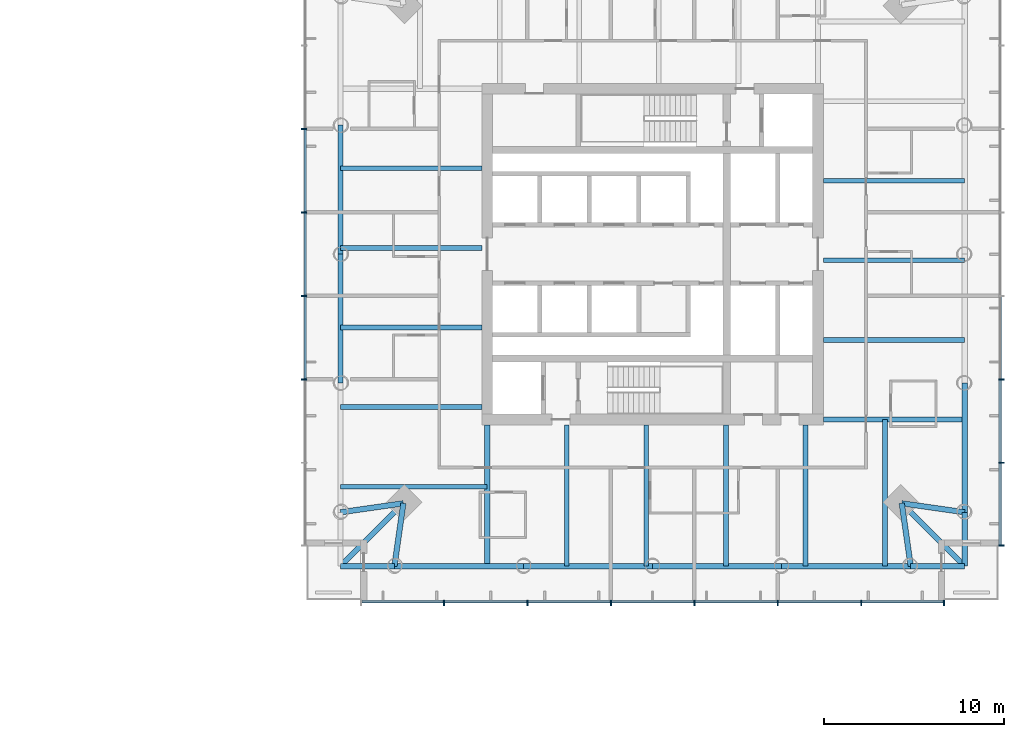
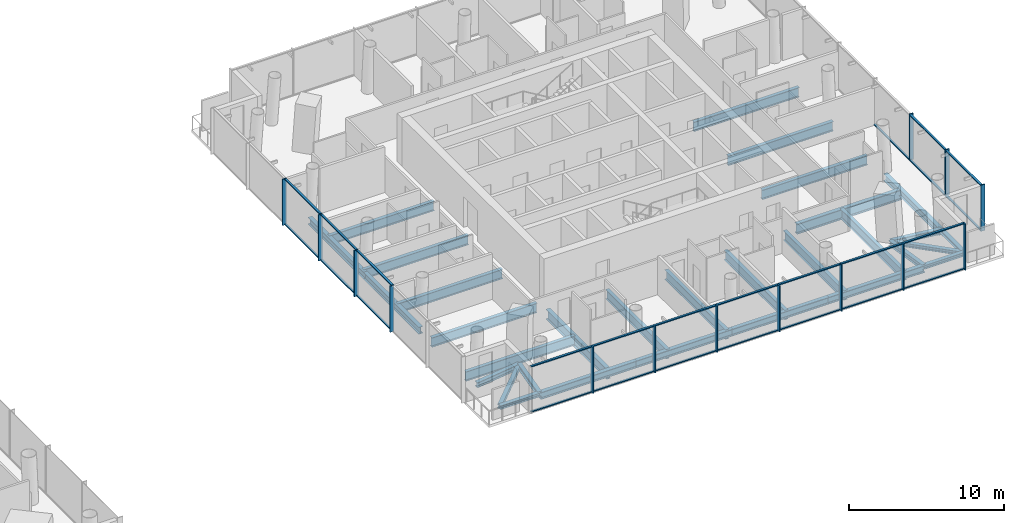
# One storey, part 5 of 21: 39 members, 31 beams, 3 elements without a shape of their own.
"""IFC4 building model written with IfcOpenShell, lengths in metres."""

from ifc_helpers import new_model, si_unit, direction, frame, origin, origin_2d, place, context, subcontext, project, spatial, rectangle, i_section, extrude, material, material_profile, profile_set, type_object, element, aggregate, save


model = new_model("IFC4")

# Units and contexts
model_context = context("Model", 3, precision=1e-05, world=origin(), true_north=direction((0.0, 1.0)))
body_context = subcontext(model_context, "Body", "Model", "MODEL_VIEW")
ifc_project = project(units=[si_unit("LENGTHUNIT", "METRE"), si_unit("AREAUNIT", "SQUARE_METRE"), si_unit("VOLUMEUNIT", "CUBIC_METRE"), si_unit("PLANEANGLEUNIT", "RADIAN"), si_unit("MASSUNIT", "GRAM", prefix="KILO")], contexts=[model_context])

# Site, building, storey
site_placement = place(None, origin())
site = spatial("IfcSite", under=ifc_project, at=site_placement, CompositionType="ELEMENT")
building_placement = place(site_placement, origin())
building = spatial("IfcBuilding", under=site, at=building_placement, Name="Ostroluk Exchange", CompositionType="ELEMENT")
storey_placement = place(building_placement, frame((0.0, 0.0, 59.0)))
storey = spatial("IfcBuildingStorey", under=building, at=storey_placement, Name="L14", CompositionType="ELEMENT", Elevation=59.0)

# Beams
ifc_material_1 = material(Name="Steel S355", Category="steel")
ifc_material_profile_1 = material_profile(ifc_material_1, i_section(OverallWidth=0.300048828125, OverallDepth=0.300048828125, WebThickness=0.010986328125, FlangeThickness=0.01904296875, FilletRadius=0.027099609375, at=origin_2d()), Name="HEB 300")
ifc_profile_set_1 = profile_set([ifc_material_profile_1], Name="Steel S355")
beam_type_1 = type_object("IfcBeamType", Name="Balcony beam HEB 300", PredefinedType="BEAM", material=ifc_profile_set_1)
beam_1_placement = place(storey_placement, frame((102.637939453125, 28.637939453125, -0.35009765625), z_axis=(-1.0, 0.0, 0.0), x_axis=(0.0, -1.0, 0.0)))
element("IfcBeam", 1, at=beam_1_placement, inside=storey, type_object=beam_type_1, Name="T2 west balcony beam b", PredefinedType="BEAM", context=body_context, shape_type="SweptSolid", body=[
    extrude(i_section(OverallWidth=0.300048828125, OverallDepth=0.300048828125, WebThickness=0.010986328125, FlangeThickness=0.01904296875, FilletRadius=0.027099609375, at=origin_2d()), origin(), (0.0, 0.0, 1.0), 3.0),
])
beam_2_placement = place(storey_placement, frame((103.137939453125, 32.137939453125, -0.35009765625), z_axis=(-0.707106781187, -0.707106781187, 0.0), x_axis=(0.707106781187, -0.707106781187, 0.0)))
element("IfcBeam", 2, at=beam_2_placement, inside=storey, type_object=beam_type_1, Name="T2 west balcony beam c", PredefinedType="BEAM", context=body_context, shape_type="SweptSolid", body=[
    extrude(i_section(OverallWidth=0.300048828125, OverallDepth=0.300048828125, WebThickness=0.010986328125, FlangeThickness=0.01904296875, FilletRadius=0.027099609375, at=origin_2d()), origin(), (0.0, 0.0, 1.0), 4.94970703125),
])
for number, where, z_axis, x_axis, name in (
    (3, (131.362060546875, 28.637939453125, -0.35009765625), (1.0, 0.0, 0.0), (0.0, 1.0, 0.0), "T2 south balcony beam a"),
    (4, (134.362060546875, 31.637939453125, -0.35009765625), (0.0, -1.0, 0.0), (1.0, 0.0, 0.0), "T2 south balcony beam b"),
):
    element("IfcBeam", number, at=place(storey_placement, frame(where, z_axis=z_axis, x_axis=x_axis)), inside=storey, type_object=beam_type_1, Name=name, PredefinedType="BEAM", context=body_context, shape_type="SweptSolid", body=[
        extrude(i_section(OverallWidth=0.300048828125, OverallDepth=0.300048828125, WebThickness=0.010986328125, FlangeThickness=0.01904296875, FilletRadius=0.027099609375, at=origin_2d()), origin(), (0.0, 0.0, 1.0), 3.0),
    ])
beam_3_placement = place(storey_placement, frame((130.862060546875, 32.137939453125, -0.35009765625), z_axis=(0.707106781187, -0.707106781187, 0.0), x_axis=(0.707106781187, 0.707106781187, 0.0)))
element("IfcBeam", 5, at=beam_3_placement, inside=storey, type_object=beam_type_1, Name="T2 south balcony beam c", PredefinedType="BEAM", context=body_context, shape_type="SweptSolid", body=[
    extrude(i_section(OverallWidth=0.300048828125, OverallDepth=0.300048828125, WebThickness=0.010986328125, FlangeThickness=0.01904296875, FilletRadius=0.027099609375, at=origin_2d()), origin(), (0.0, 0.0, 1.0), 4.94970703125),
])
ifc_material_2 = material(Name="Steel S355", Category="steel")
ifc_material_profile_2 = material_profile(ifc_material_2, i_section(OverallWidth=0.300048828125, OverallDepth=0.39990234375, WebThickness=0.013427734375, FlangeThickness=0.02392578125, FilletRadius=0.027099609375, at=origin_2d()), Name="HEB 400")
ifc_profile_set_2 = profile_set([ifc_material_profile_2], Name="Steel S355")
beam_type_2 = type_object("IfcBeamType", Name="Corner edge beam HEB 400", PredefinedType="SPANDREL", material=ifc_profile_set_2)
for number, where, z_axis, x_axis, name in (
    (6, (103.137939453125, 32.137939453125, -0.39990234375), (-0.989949493661, -0.141421356237, 0.0), (0.141421356237, -0.989949493661, 0.0), "T2 west corner edge beam a"),
    (7, (103.137939453125, 32.137939453125, -0.39990234375), (-0.141421356237, -0.989949493661, 0.0), (0.989949493661, -0.141421356237, 0.0), "T2 west corner edge beam b"),
    (8, (130.862060546875, 32.137939453125, -0.39990234375), (0.141421356237, -0.989949493661, 0.0), (0.989949493661, 0.141421356237, 0.0), "T2 south corner edge beam a"),
    (9, (130.862060546875, 32.137939453125, -0.39990234375), (0.989949493661, -0.141421356237, 0.0), (0.141421356237, 0.989949493661, 0.0), "T2 south corner edge beam b"),
):
    element("IfcBeam", number, at=place(storey_placement, frame(where, z_axis=z_axis, x_axis=x_axis)), inside=storey, type_object=beam_type_2, Name=name, PredefinedType="SPANDREL", context=body_context, shape_type="SweptSolid", body=[
        extrude(i_section(OverallWidth=0.300048828125, OverallDepth=0.39990234375, WebThickness=0.013427734375, FlangeThickness=0.02392578125, FilletRadius=0.027099609375, at=origin_2d()), origin(), (0.0, 0.0, 1.0), 3.53564453125),
    ])
ifc_material_3 = material(Name="Steel S355", Category="steel")
ifc_material_profile_3 = material_profile(ifc_material_3, i_section(OverallWidth=0.264892578125, OverallDepth=0.7529296875, WebThickness=0.01318359375, FlangeThickness=0.01708984375, FilletRadius=0.01708984375, at=origin_2d()), Name="IPE 750x147")
ifc_profile_set_3 = profile_set([ifc_material_profile_3], Name="Steel S355")
beam_type_3 = type_object("IfcBeamType", Name="Floor beam IPE 750x147", PredefinedType="BEAM", material=ifc_profile_set_3)
for number, where, z_axis, x_axis, name in (
    (10, (126.5, 41.22705078125, -0.576416015625), (1.0, 0.0, 0.0), (0.0, 1.0, 0.0), "T2 east floor beam 1"),
    (11, (126.5, 45.654052734375, -0.576416015625), (1.0, 0.0, 0.0), (0.0, 1.0, 0.0), "T2 east floor beam 2"),
    (12, (126.5, 50.0810546875, -0.576416015625), (1.0, 0.0, 0.0), (0.0, 1.0, 0.0), "T2 east floor beam 3"),
    (13, (107.5, 50.77294921875, -0.576416015625), (-1.0, 0.0, 0.0), (0.0, -1.0, 0.0), "T2 west floor beam 1"),
    (14, (107.5, 46.345947265625, -0.576416015625), (-1.0, 0.0, 0.0), (0.0, -1.0, 0.0), "T2 west floor beam 2"),
    (15, (107.5, 41.9189453125, -0.576416015625), (-1.0, 0.0, 0.0), (0.0, -1.0, 0.0), "T2 west floor beam 3"),
    (16, (107.5, 37.491943359375, -0.576416015625), (-1.0, 0.0, 0.0), (0.0, -1.0, 0.0), "T2 west floor beam 4"),
):
    element("IfcBeam", number, at=place(storey_placement, frame(where, z_axis=z_axis, x_axis=x_axis)), inside=storey, type_object=beam_type_3, Name=name, PredefinedType="BEAM", context=body_context, shape_type="SweptSolid", body=[
        extrude(i_section(OverallWidth=0.264892578125, OverallDepth=0.7529296875, WebThickness=0.01318359375, FlangeThickness=0.01708984375, FilletRadius=0.01708984375, at=origin_2d()), origin(), (0.0, 0.0, 1.0), 7.862060546875),
    ])
beam_4_placement = place(storey_placement, frame((107.800048828125, 33.06494140625, -0.576416015625), z_axis=(-1.0, 0.0, 0.0), x_axis=(0.0, -1.0, 0.0)))
element("IfcBeam", 17, at=beam_4_placement, inside=storey, type_object=beam_type_3, Name="T2 west floor beam 5", PredefinedType="BEAM", context=body_context, shape_type="SweptSolid", body=[
    extrude(i_section(OverallWidth=0.264892578125, OverallDepth=0.7529296875, WebThickness=0.01318359375, FlangeThickness=0.01708984375, FilletRadius=0.01708984375, at=origin_2d()), origin(), (0.0, 0.0, 1.0), 8.162109375),
])
for number, where, z_axis, x_axis, name in (
    (18, (112.22705078125, 36.5, -0.576416015625), (0.0, -1.0, 0.0), (1.0, 0.0, 0.0), "T2 south floor beam 1"),
    (19, (116.654052734375, 36.5, -0.576416015625), (0.0, -1.0, 0.0), (1.0, 0.0, 0.0), "T2 south floor beam 2"),
    (20, (121.0810546875, 36.5, -0.576416015625), (0.0, -1.0, 0.0), (1.0, 0.0, 0.0), "T2 south floor beam 3"),
    (21, (125.508056640625, 36.5, -0.576416015625), (0.0, -1.0, 0.0), (1.0, 0.0, 0.0), "T2 south floor beam 4"),
):
    element("IfcBeam", number, at=place(storey_placement, frame(where, z_axis=z_axis, x_axis=x_axis)), inside=storey, type_object=beam_type_3, Name=name, PredefinedType="BEAM", context=body_context, shape_type="SweptSolid", body=[
        extrude(i_section(OverallWidth=0.264892578125, OverallDepth=0.7529296875, WebThickness=0.01318359375, FlangeThickness=0.01708984375, FilletRadius=0.01708984375, at=origin_2d()), origin(), (0.0, 0.0, 1.0), 7.862060546875),
    ])
beam_5_placement = place(storey_placement, frame((129.93505859375, 36.800048828125, -0.576416015625), z_axis=(0.0, -1.0, 0.0), x_axis=(1.0, 0.0, 0.0)))
element("IfcBeam", 22, at=beam_5_placement, inside=storey, type_object=beam_type_3, Name="T2 south floor beam 5", PredefinedType="BEAM", context=body_context, shape_type="SweptSolid", body=[
    extrude(i_section(OverallWidth=0.264892578125, OverallDepth=0.7529296875, WebThickness=0.01318359375, FlangeThickness=0.01708984375, FilletRadius=0.01708984375, at=origin_2d()), origin(), (0.0, 0.0, 1.0), 8.162109375),
])
ifc_material_4 = material(Name="Steel S355", Category="steel")
ifc_material_profile_4 = material_profile(ifc_material_4, i_section(OverallWidth=0.300048828125, OverallDepth=0.800048828125, WebThickness=0.017578125, FlangeThickness=0.032958984375, FilletRadius=0.030029296875, at=origin_2d()), Name="HEB 800")
ifc_profile_set_4 = profile_set([ifc_material_profile_4], Name="Steel S355")
beam_type_4 = type_object("IfcBeamType", Name="Girder HEB 800", PredefinedType="BEAM", material=ifc_profile_set_4)
for number, where, z_axis, x_axis, name in (
    (23, (107.800048828125, 36.5, -0.60009765625), (0.0, -1.0, 0.0), (1.0, 0.0, 0.0), "T2 west girder"),
    (24, (126.5, 36.800048828125, -0.60009765625), (1.0, 0.0, 0.0), (0.0, 1.0, 0.0), "T2 south girder"),
):
    element("IfcBeam", number, at=place(storey_placement, frame(where, z_axis=z_axis, x_axis=x_axis)), inside=storey, type_object=beam_type_4, Name=name, PredefinedType="BEAM", context=body_context, shape_type="SweptSolid", body=[
        extrude(i_section(OverallWidth=0.300048828125, OverallDepth=0.800048828125, WebThickness=0.017578125, FlangeThickness=0.032958984375, FilletRadius=0.030029296875, at=origin_2d()), origin(), (0.0, 0.0, 1.0), 7.862060546875),
    ])
ifc_material_5 = material(Name="Steel S355", Category="steel")
ifc_material_profile_5 = material_profile(ifc_material_5, i_section(OverallWidth=0.300048828125, OverallDepth=0.550048828125, WebThickness=0.014892578125, FlangeThickness=0.029052734375, FilletRadius=0.027099609375, at=origin_2d()), Name="HEB 550")
ifc_profile_set_5 = profile_set([ifc_material_profile_5], Name="Steel S355")
beam_type_5 = type_object("IfcBeamType", Name="Moment-connected edge beam HEB 550", PredefinedType="SPANDREL", material=ifc_profile_set_5)
beam_6_placement = place(storey_placement, frame((134.362060546875, 31.637939453125, -0.47509765625), z_axis=(0.0, 1.0, 0.0), x_axis=(-1.0, 0.0, 0.0)))
element("IfcBeam", 25, at=beam_6_placement, inside=storey, type_object=beam_type_5, Name="T2 east edge beam 1", PredefinedType="SPANDREL", context=body_context, shape_type="SweptSolid", body=[
    extrude(i_section(OverallWidth=0.300048828125, OverallDepth=0.550048828125, WebThickness=0.014892578125, FlangeThickness=0.029052734375, FilletRadius=0.027099609375, at=origin_2d()), origin(), (0.0, 0.0, 1.0), 7.180908203125),
])
for number, where, z_axis, x_axis, name in (
    (26, (99.637939453125, 53.18115234375, -0.47509765625), (0.0, -1.0, 0.0), (1.0, 0.0, 0.0), "T2 west edge beam 2"),
    (27, (99.637939453125, 46.0, -0.47509765625), (0.0, -1.0, 0.0), (1.0, 0.0, 0.0), "T2 west edge beam 3"),
):
    element("IfcBeam", number, at=place(storey_placement, frame(where, z_axis=z_axis, x_axis=x_axis)), inside=storey, type_object=beam_type_5, Name=name, PredefinedType="SPANDREL", context=body_context, shape_type="SweptSolid", body=[
        extrude(i_section(OverallWidth=0.300048828125, OverallDepth=0.550048828125, WebThickness=0.014892578125, FlangeThickness=0.029052734375, FilletRadius=0.027099609375, at=origin_2d()), origin(), (0.0, 0.0, 1.0), 7.18115234375),
    ])
beam_7_placement = place(storey_placement, frame((102.637939453125, 28.637939453125, -0.47509765625), z_axis=(1.0, 0.0, 0.0), x_axis=(0.0, 1.0, 0.0)))
element("IfcBeam", 28, at=beam_7_placement, inside=storey, type_object=beam_type_5, Name="T2 south edge beam 1", PredefinedType="SPANDREL", context=body_context, shape_type="SweptSolid", body=[
    extrude(i_section(OverallWidth=0.300048828125, OverallDepth=0.550048828125, WebThickness=0.014892578125, FlangeThickness=0.029052734375, FilletRadius=0.027099609375, at=origin_2d()), origin(), (0.0, 0.0, 1.0), 7.180908203125),
])
for number, where, z_axis, x_axis, name in (
    (29, (109.81884765625, 28.637939453125, -0.47509765625), (1.0, 0.0, 0.0), (0.0, 1.0, 0.0), "T2 south edge beam 2"),
    (30, (117.0, 28.637939453125, -0.47509765625), (1.0, 0.0, 0.0), (0.0, 1.0, 0.0), "T2 south edge beam 3"),
):
    element("IfcBeam", number, at=place(storey_placement, frame(where, z_axis=z_axis, x_axis=x_axis)), inside=storey, type_object=beam_type_5, Name=name, PredefinedType="SPANDREL", context=body_context, shape_type="SweptSolid", body=[
        extrude(i_section(OverallWidth=0.300048828125, OverallDepth=0.550048828125, WebThickness=0.014892578125, FlangeThickness=0.029052734375, FilletRadius=0.027099609375, at=origin_2d()), origin(), (0.0, 0.0, 1.0), 7.18115234375),
    ])
beam_8_placement = place(storey_placement, frame((124.18115234375, 28.637939453125, -0.47509765625), z_axis=(1.0, 0.0, 0.0), x_axis=(0.0, 1.0, 0.0)))
element("IfcBeam", 31, at=beam_8_placement, inside=storey, type_object=beam_type_5, Name="T2 south edge beam 4", PredefinedType="SPANDREL", context=body_context, shape_type="SweptSolid", body=[
    extrude(i_section(OverallWidth=0.300048828125, OverallDepth=0.550048828125, WebThickness=0.014892578125, FlangeThickness=0.029052734375, FilletRadius=0.027099609375, at=origin_2d()), origin(), (0.0, 0.0, 1.0), 7.180908203125),
])

# Curtain wall, members
ifc_material_6 = material(Name="Laminated clear glass", Category="glass")
curtain_wall_type = type_object("IfcCurtainWallType", Name="Hotel guest floor facade", PredefinedType="USERDEFINED", material=ifc_material_6)
curtain_wall_1_placement = place(storey_placement, origin())
curtain_wall_1 = element("IfcCurtainWall", 32, at=curtain_wall_1_placement, inside=storey, type_object=curtain_wall_type, Name="Hotel tower south facade L14", ObjectType="UNITISED CURTAIN WALL", PredefinedType="USERDEFINED")
ifc_material_7 = material(Name="Aluminium mullion", Category="aluminium")
ifc_material_profile_6 = material_profile(ifc_material_7, rectangle(XDim=0.14990234375, YDim=0.080078125, at=origin_2d()), Name="Sill transom 80 x 150")
ifc_profile_set_6 = profile_set([ifc_material_profile_6], Name="Aluminium mullion")
member_type_1 = type_object("IfcMemberType", Name="Sill transom 80 x 150", PredefinedType="USERDEFINED", material=ifc_profile_set_6)
member_1_placement = place(storey_placement, frame((100.830078125, 26.675048828125, 0.0400390625), z_axis=(1.0, 0.0, 0.0), x_axis=(0.0, 1.0, 0.0)))
member_1 = element("IfcMember", 33, at=member_1_placement, type_object=member_type_1, Name="CW-H1 transom 1.1", ObjectType="TRANSOM", PredefinedType="USERDEFINED", context=body_context, shape_type="SweptSolid", body=[
    extrude(rectangle(XDim=0.14990234375, YDim=0.080078125, at=origin_2d()), origin(), (0.0, 0.0, 1.0), 4.522705078125),
])
member_2_placement = place(storey_placement, frame((100.830078125, 26.675048828125, 3.610107421875), z_axis=(1.0, 0.0, 0.0), x_axis=(0.0, 1.0, 0.0)))
member_2 = element("IfcMember", 34, at=member_2_placement, type_object=member_type_1, Name="CW-H1 transom 1.2", ObjectType="TRANSOM", PredefinedType="USERDEFINED", context=body_context, shape_type="SweptSolid", body=[
    extrude(rectangle(XDim=0.14990234375, YDim=0.080078125, at=origin_2d()), origin(), (0.0, 0.0, 1.0), 4.522705078125),
])
member_3_placement = place(storey_placement, frame((105.432861328125, 26.675048828125, 0.0400390625), z_axis=(1.0, 0.0, 0.0), x_axis=(0.0, 1.0, 0.0)))
member_3 = element("IfcMember", 35, at=member_3_placement, type_object=member_type_1, Name="CW-H1 transom 2.1", ObjectType="TRANSOM", PredefinedType="USERDEFINED", context=body_context, shape_type="SweptSolid", body=[
    extrude(rectangle(XDim=0.14990234375, YDim=0.080078125, at=origin_2d()), origin(), (0.0, 0.0, 1.0), 4.562744140625),
])
member_4_placement = place(storey_placement, frame((105.432861328125, 26.675048828125, 3.610107421875), z_axis=(1.0, 0.0, 0.0), x_axis=(0.0, 1.0, 0.0)))
member_4 = element("IfcMember", 36, at=member_4_placement, type_object=member_type_1, Name="CW-H1 transom 2.2", ObjectType="TRANSOM", PredefinedType="USERDEFINED", context=body_context, shape_type="SweptSolid", body=[
    extrude(rectangle(XDim=0.14990234375, YDim=0.080078125, at=origin_2d()), origin(), (0.0, 0.0, 1.0), 4.562744140625),
])
member_5_placement = place(storey_placement, frame((110.07568359375, 26.675048828125, 0.0400390625), z_axis=(1.0, 0.0, 0.0), x_axis=(0.0, 1.0, 0.0)))
member_5 = element("IfcMember", 37, at=member_5_placement, type_object=member_type_1, Name="CW-H1 transom 3.1", ObjectType="TRANSOM", PredefinedType="USERDEFINED", context=body_context, shape_type="SweptSolid", body=[
    extrude(rectangle(XDim=0.14990234375, YDim=0.080078125, at=origin_2d()), origin(), (0.0, 0.0, 1.0), 4.56298828125),
])
member_6_placement = place(storey_placement, frame((110.07568359375, 26.675048828125, 3.610107421875), z_axis=(1.0, 0.0, 0.0), x_axis=(0.0, 1.0, 0.0)))
member_6 = element("IfcMember", 38, at=member_6_placement, type_object=member_type_1, Name="CW-H1 transom 3.2", ObjectType="TRANSOM", PredefinedType="USERDEFINED", context=body_context, shape_type="SweptSolid", body=[
    extrude(rectangle(XDim=0.14990234375, YDim=0.080078125, at=origin_2d()), origin(), (0.0, 0.0, 1.0), 4.56298828125),
])
member_7_placement = place(storey_placement, frame((114.718505859375, 26.675048828125, 0.0400390625), z_axis=(1.0, 0.0, 0.0), x_axis=(0.0, 1.0, 0.0)))
member_7 = element("IfcMember", 39, at=member_7_placement, type_object=member_type_1, Name="CW-H1 transom 4.1", ObjectType="TRANSOM", PredefinedType="USERDEFINED", context=body_context, shape_type="SweptSolid", body=[
    extrude(rectangle(XDim=0.14990234375, YDim=0.080078125, at=origin_2d()), origin(), (0.0, 0.0, 1.0), 4.56298828125),
])
member_8_placement = place(storey_placement, frame((114.718505859375, 26.675048828125, 3.610107421875), z_axis=(1.0, 0.0, 0.0), x_axis=(0.0, 1.0, 0.0)))
member_8 = element("IfcMember", 40, at=member_8_placement, type_object=member_type_1, Name="CW-H1 transom 4.2", ObjectType="TRANSOM", PredefinedType="USERDEFINED", context=body_context, shape_type="SweptSolid", body=[
    extrude(rectangle(XDim=0.14990234375, YDim=0.080078125, at=origin_2d()), origin(), (0.0, 0.0, 1.0), 4.56298828125),
])
member_9_placement = place(storey_placement, frame((119.361328125, 26.675048828125, 0.0400390625), z_axis=(1.0, 0.0, 0.0), x_axis=(0.0, 1.0, 0.0)))
member_9 = element("IfcMember", 41, at=member_9_placement, type_object=member_type_1, Name="CW-H1 transom 5.1", ObjectType="TRANSOM", PredefinedType="USERDEFINED", context=body_context, shape_type="SweptSolid", body=[
    extrude(rectangle(XDim=0.14990234375, YDim=0.080078125, at=origin_2d()), origin(), (0.0, 0.0, 1.0), 4.56298828125),
])
member_10_placement = place(storey_placement, frame((119.361328125, 26.675048828125, 3.610107421875), z_axis=(1.0, 0.0, 0.0), x_axis=(0.0, 1.0, 0.0)))
member_10 = element("IfcMember", 42, at=member_10_placement, type_object=member_type_1, Name="CW-H1 transom 5.2", ObjectType="TRANSOM", PredefinedType="USERDEFINED", context=body_context, shape_type="SweptSolid", body=[
    extrude(rectangle(XDim=0.14990234375, YDim=0.080078125, at=origin_2d()), origin(), (0.0, 0.0, 1.0), 4.56298828125),
])
member_11_placement = place(storey_placement, frame((124.00439453125, 26.675048828125, 0.0400390625), z_axis=(1.0, 0.0, 0.0), x_axis=(0.0, 1.0, 0.0)))
member_11 = element("IfcMember", 43, at=member_11_placement, type_object=member_type_1, Name="CW-H1 transom 6.1", ObjectType="TRANSOM", PredefinedType="USERDEFINED", context=body_context, shape_type="SweptSolid", body=[
    extrude(rectangle(XDim=0.14990234375, YDim=0.080078125, at=origin_2d()), origin(), (0.0, 0.0, 1.0), 4.562744140625),
])
member_12_placement = place(storey_placement, frame((124.00439453125, 26.675048828125, 3.610107421875), z_axis=(1.0, 0.0, 0.0), x_axis=(0.0, 1.0, 0.0)))
member_12 = element("IfcMember", 44, at=member_12_placement, type_object=member_type_1, Name="CW-H1 transom 6.2", ObjectType="TRANSOM", PredefinedType="USERDEFINED", context=body_context, shape_type="SweptSolid", body=[
    extrude(rectangle(XDim=0.14990234375, YDim=0.080078125, at=origin_2d()), origin(), (0.0, 0.0, 1.0), 4.562744140625),
])
member_13_placement = place(storey_placement, frame((128.647216796875, 26.675048828125, 0.0400390625), z_axis=(1.0, 0.0, 0.0), x_axis=(0.0, 1.0, 0.0)))
member_13 = element("IfcMember", 45, at=member_13_placement, type_object=member_type_1, Name="CW-H1 transom 7.1", ObjectType="TRANSOM", PredefinedType="USERDEFINED", context=body_context, shape_type="SweptSolid", body=[
    extrude(rectangle(XDim=0.14990234375, YDim=0.080078125, at=origin_2d()), origin(), (0.0, 0.0, 1.0), 4.522705078125),
])
member_14_placement = place(storey_placement, frame((128.647216796875, 26.675048828125, 3.610107421875), z_axis=(1.0, 0.0, 0.0), x_axis=(0.0, 1.0, 0.0)))
member_14 = element("IfcMember", 46, at=member_14_placement, type_object=member_type_1, Name="CW-H1 transom 7.2", ObjectType="TRANSOM", PredefinedType="USERDEFINED", context=body_context, shape_type="SweptSolid", body=[
    extrude(rectangle(XDim=0.14990234375, YDim=0.080078125, at=origin_2d()), origin(), (0.0, 0.0, 1.0), 4.522705078125),
])

curtain_wall_2_placement = place(storey_placement, origin())
curtain_wall_2 = element("IfcCurtainWall", 47, at=curtain_wall_2_placement, inside=storey, type_object=curtain_wall_type, Name="Hotel tower east facade L14", ObjectType="UNITISED CURTAIN WALL", PredefinedType="USERDEFINED")
member_15_placement = place(storey_placement, frame((136.324951171875, 29.830078125, 0.0400390625), z_axis=(0.0, 1.0, 0.0), x_axis=(-1.0, 0.0, 0.0)))
member_15 = element("IfcMember", 48, at=member_15_placement, type_object=member_type_1, Name="CW-H1 transom 1.1", ObjectType="TRANSOM", PredefinedType="USERDEFINED", context=body_context, shape_type="SweptSolid", body=[
    extrude(rectangle(XDim=0.14990234375, YDim=0.080078125, at=origin_2d()), origin(), (0.0, 0.0, 1.0), 4.522705078125),
])
member_16_placement = place(storey_placement, frame((136.324951171875, 29.830078125, 3.610107421875), z_axis=(0.0, 1.0, 0.0), x_axis=(-1.0, 0.0, 0.0)))
member_16 = element("IfcMember", 49, at=member_16_placement, type_object=member_type_1, Name="CW-H1 transom 1.2", ObjectType="TRANSOM", PredefinedType="USERDEFINED", context=body_context, shape_type="SweptSolid", body=[
    extrude(rectangle(XDim=0.14990234375, YDim=0.080078125, at=origin_2d()), origin(), (0.0, 0.0, 1.0), 4.522705078125),
])
member_17_placement = place(storey_placement, frame((136.324951171875, 34.432861328125, 0.0400390625), z_axis=(0.0, 1.0, 0.0), x_axis=(-1.0, 0.0, 0.0)))
member_17 = element("IfcMember", 50, at=member_17_placement, type_object=member_type_1, Name="CW-H1 transom 2.1", ObjectType="TRANSOM", PredefinedType="USERDEFINED", context=body_context, shape_type="SweptSolid", body=[
    extrude(rectangle(XDim=0.14990234375, YDim=0.080078125, at=origin_2d()), origin(), (0.0, 0.0, 1.0), 4.562744140625),
])
member_18_placement = place(storey_placement, frame((136.324951171875, 34.432861328125, 3.610107421875), z_axis=(0.0, 1.0, 0.0), x_axis=(-1.0, 0.0, 0.0)))
member_18 = element("IfcMember", 51, at=member_18_placement, type_object=member_type_1, Name="CW-H1 transom 2.2", ObjectType="TRANSOM", PredefinedType="USERDEFINED", context=body_context, shape_type="SweptSolid", body=[
    extrude(rectangle(XDim=0.14990234375, YDim=0.080078125, at=origin_2d()), origin(), (0.0, 0.0, 1.0), 4.562744140625),
])
member_19_placement = place(storey_placement, frame((136.324951171875, 39.07568359375, 0.0400390625), z_axis=(0.0, 1.0, 0.0), x_axis=(-1.0, 0.0, 0.0)))
member_19 = element("IfcMember", 52, at=member_19_placement, type_object=member_type_1, Name="CW-H1 transom 3.1", ObjectType="TRANSOM", PredefinedType="USERDEFINED", context=body_context, shape_type="SweptSolid", body=[
    extrude(rectangle(XDim=0.14990234375, YDim=0.080078125, at=origin_2d()), origin(), (0.0, 0.0, 1.0), 4.56298828125),
])

curtain_wall_3_placement = place(storey_placement, origin())
curtain_wall_3 = element("IfcCurtainWall", 53, at=curtain_wall_3_placement, inside=storey, type_object=curtain_wall_type, Name="Hotel tower west facade L14", ObjectType="UNITISED CURTAIN WALL", PredefinedType="USERDEFINED")
member_20_placement = place(storey_placement, frame((97.675048828125, 52.92431640625, 0.0400390625), z_axis=(0.0, -1.0, 0.0), x_axis=(1.0, 0.0, 0.0)))
member_20 = element("IfcMember", 54, at=member_20_placement, type_object=member_type_1, Name="CW-H1 transom 3.1", ObjectType="TRANSOM", PredefinedType="USERDEFINED", context=body_context, shape_type="SweptSolid", body=[
    extrude(rectangle(XDim=0.14990234375, YDim=0.080078125, at=origin_2d()), origin(), (0.0, 0.0, 1.0), 4.56298828125),
])
member_21_placement = place(storey_placement, frame((97.675048828125, 52.92431640625, 3.610107421875), z_axis=(0.0, -1.0, 0.0), x_axis=(1.0, 0.0, 0.0)))
member_21 = element("IfcMember", 55, at=member_21_placement, type_object=member_type_1, Name="CW-H1 transom 3.2", ObjectType="TRANSOM", PredefinedType="USERDEFINED", context=body_context, shape_type="SweptSolid", body=[
    extrude(rectangle(XDim=0.14990234375, YDim=0.080078125, at=origin_2d()), origin(), (0.0, 0.0, 1.0), 4.56298828125),
])
member_22_placement = place(storey_placement, frame((97.675048828125, 48.281494140625, 0.0400390625), z_axis=(0.0, -1.0, 0.0), x_axis=(1.0, 0.0, 0.0)))
member_22 = element("IfcMember", 56, at=member_22_placement, type_object=member_type_1, Name="CW-H1 transom 4.1", ObjectType="TRANSOM", PredefinedType="USERDEFINED", context=body_context, shape_type="SweptSolid", body=[
    extrude(rectangle(XDim=0.14990234375, YDim=0.080078125, at=origin_2d()), origin(), (0.0, 0.0, 1.0), 4.56298828125),
])
member_23_placement = place(storey_placement, frame((97.675048828125, 48.281494140625, 3.610107421875), z_axis=(0.0, -1.0, 0.0), x_axis=(1.0, 0.0, 0.0)))
member_23 = element("IfcMember", 57, at=member_23_placement, type_object=member_type_1, Name="CW-H1 transom 4.2", ObjectType="TRANSOM", PredefinedType="USERDEFINED", context=body_context, shape_type="SweptSolid", body=[
    extrude(rectangle(XDim=0.14990234375, YDim=0.080078125, at=origin_2d()), origin(), (0.0, 0.0, 1.0), 4.56298828125),
])
member_24_placement = place(storey_placement, frame((97.675048828125, 43.638671875, 0.0400390625), z_axis=(0.0, -1.0, 0.0), x_axis=(1.0, 0.0, 0.0)))
member_24 = element("IfcMember", 58, at=member_24_placement, type_object=member_type_1, Name="CW-H1 transom 5.1", ObjectType="TRANSOM", PredefinedType="USERDEFINED", context=body_context, shape_type="SweptSolid", body=[
    extrude(rectangle(XDim=0.14990234375, YDim=0.080078125, at=origin_2d()), origin(), (0.0, 0.0, 1.0), 4.56298828125),
])
member_25_placement = place(storey_placement, frame((97.675048828125, 43.638671875, 3.610107421875), z_axis=(0.0, -1.0, 0.0), x_axis=(1.0, 0.0, 0.0)))
member_25 = element("IfcMember", 59, at=member_25_placement, type_object=member_type_1, Name="CW-H1 transom 5.2", ObjectType="TRANSOM", PredefinedType="USERDEFINED", context=body_context, shape_type="SweptSolid", body=[
    extrude(rectangle(XDim=0.14990234375, YDim=0.080078125, at=origin_2d()), origin(), (0.0, 0.0, 1.0), 4.56298828125),
])

# Member
ifc_material_8 = material(Name="Aluminium mullion with limestone facing", Category="masonry")
ifc_material_profile_7 = material_profile(ifc_material_8, rectangle(XDim=0.300048828125, YDim=0.080078125, at=origin_2d()), Name="Tracery mullion 80 x 300")
ifc_profile_set_7 = profile_set([ifc_material_profile_7], Name="Aluminium mullion with limestone facing")
member_type_2 = type_object("IfcMemberType", Name="Tracery mullion 80 x 300", PredefinedType="MULLION", material=ifc_profile_set_7)
member_26_placement = place(storey_placement, frame((105.392822265625, 26.60009765625, 0.0), z_axis=(0.0, 0.0, 1.0), x_axis=(0.0, 1.0, 0.0)))
member_26 = element("IfcMember", 60, at=member_26_placement, type_object=member_type_2, Name="CW-H1 mullion 2", PredefinedType="MULLION", context=body_context, shape_type="SweptSolid", body=[
    extrude(rectangle(XDim=0.300048828125, YDim=0.080078125, at=origin_2d()), origin(), (0.0, 0.0, 1.0), 3.64990234375),
])

member_27_placement = place(storey_placement, frame((110.03564453125, 26.60009765625, 0.0), z_axis=(0.0, 0.0, 1.0), x_axis=(0.0, 1.0, 0.0)))
member_27 = element("IfcMember", 61, at=member_27_placement, type_object=member_type_2, Name="CW-H1 mullion 3", PredefinedType="MULLION", context=body_context, shape_type="SweptSolid", body=[
    extrude(rectangle(XDim=0.300048828125, YDim=0.080078125, at=origin_2d()), origin(), (0.0, 0.0, 1.0), 3.64990234375),
])

member_28_placement = place(storey_placement, frame((114.678466796875, 26.60009765625, 0.0), z_axis=(0.0, 0.0, 1.0), x_axis=(0.0, 1.0, 0.0)))
member_28 = element("IfcMember", 62, at=member_28_placement, type_object=member_type_2, Name="CW-H1 mullion 4", PredefinedType="MULLION", context=body_context, shape_type="SweptSolid", body=[
    extrude(rectangle(XDim=0.300048828125, YDim=0.080078125, at=origin_2d()), origin(), (0.0, 0.0, 1.0), 3.64990234375),
])

member_29_placement = place(storey_placement, frame((119.321533203125, 26.60009765625, 0.0), z_axis=(0.0, 0.0, 1.0), x_axis=(0.0, 1.0, 0.0)))
member_29 = element("IfcMember", 63, at=member_29_placement, type_object=member_type_2, Name="CW-H1 mullion 5", PredefinedType="MULLION", context=body_context, shape_type="SweptSolid", body=[
    extrude(rectangle(XDim=0.300048828125, YDim=0.080078125, at=origin_2d()), origin(), (0.0, 0.0, 1.0), 3.64990234375),
])

member_30_placement = place(storey_placement, frame((123.96435546875, 26.60009765625, 0.0), z_axis=(0.0, 0.0, 1.0), x_axis=(0.0, 1.0, 0.0)))
member_30 = element("IfcMember", 64, at=member_30_placement, type_object=member_type_2, Name="CW-H1 mullion 6", PredefinedType="MULLION", context=body_context, shape_type="SweptSolid", body=[
    extrude(rectangle(XDim=0.300048828125, YDim=0.080078125, at=origin_2d()), origin(), (0.0, 0.0, 1.0), 3.64990234375),
])

member_31_placement = place(storey_placement, frame((128.607177734375, 26.60009765625, 0.0), z_axis=(0.0, 0.0, 1.0), x_axis=(0.0, 1.0, 0.0)))
member_31 = element("IfcMember", 65, at=member_31_placement, type_object=member_type_2, Name="CW-H1 mullion 7", PredefinedType="MULLION", context=body_context, shape_type="SweptSolid", body=[
    extrude(rectangle(XDim=0.300048828125, YDim=0.080078125, at=origin_2d()), origin(), (0.0, 0.0, 1.0), 3.64990234375),
])

member_32_placement = place(storey_placement, frame((133.2099609375, 26.60009765625, 0.0), z_axis=(0.0, 0.0, 1.0), x_axis=(0.0, 1.0, 0.0)))
member_32 = element("IfcMember", 66, at=member_32_placement, type_object=member_type_2, Name="CW-H1 mullion 8", PredefinedType="MULLION", context=body_context, shape_type="SweptSolid", body=[
    extrude(rectangle(XDim=0.300048828125, YDim=0.080078125, at=origin_2d()), origin(), (0.0, 0.0, 1.0), 3.64990234375),
])

aggregate(curtain_wall_1, [member_26, member_27, member_28, member_29, member_30, member_31, member_32, member_1, member_2, member_3, member_4, member_5, member_6, member_7, member_8, member_9, member_10, member_11, member_12, member_13, member_14])

member_33_placement = place(storey_placement, frame((136.39990234375, 29.7900390625, 0.0), z_axis=(0.0, 0.0, 1.0), x_axis=(-1.0, 0.0, 0.0)))
member_33 = element("IfcMember", 67, at=member_33_placement, type_object=member_type_2, Name="CW-H1 mullion 1", PredefinedType="MULLION", context=body_context, shape_type="SweptSolid", body=[
    extrude(rectangle(XDim=0.300048828125, YDim=0.080078125, at=origin_2d()), origin(), (0.0, 0.0, 1.0), 3.64990234375),
])

member_34_placement = place(storey_placement, frame((136.39990234375, 34.392822265625, 0.0), z_axis=(0.0, 0.0, 1.0), x_axis=(-1.0, 0.0, 0.0)))
member_34 = element("IfcMember", 68, at=member_34_placement, type_object=member_type_2, Name="CW-H1 mullion 2", PredefinedType="MULLION", context=body_context, shape_type="SweptSolid", body=[
    extrude(rectangle(XDim=0.300048828125, YDim=0.080078125, at=origin_2d()), origin(), (0.0, 0.0, 1.0), 3.64990234375),
])

member_35_placement = place(storey_placement, frame((136.39990234375, 39.03564453125, 0.0), z_axis=(0.0, 0.0, 1.0), x_axis=(-1.0, 0.0, 0.0)))
member_35 = element("IfcMember", 69, at=member_35_placement, type_object=member_type_2, Name="CW-H1 mullion 3", PredefinedType="MULLION", context=body_context, shape_type="SweptSolid", body=[
    extrude(rectangle(XDim=0.300048828125, YDim=0.080078125, at=origin_2d()), origin(), (0.0, 0.0, 1.0), 3.64990234375),
])

aggregate(curtain_wall_2, [member_33, member_34, member_35, member_15, member_16, member_17, member_18, member_19])

member_36_placement = place(storey_placement, frame((97.60009765625, 52.96435546875, 0.0), z_axis=(0.0, 0.0, 1.0), x_axis=(1.0, 0.0, 0.0)))
member_36 = element("IfcMember", 70, at=member_36_placement, type_object=member_type_2, Name="CW-H1 mullion 3", PredefinedType="MULLION", context=body_context, shape_type="SweptSolid", body=[
    extrude(rectangle(XDim=0.300048828125, YDim=0.080078125, at=origin_2d()), origin(), (0.0, 0.0, 1.0), 3.64990234375),
])

member_37_placement = place(storey_placement, frame((97.60009765625, 48.321533203125, 0.0), z_axis=(0.0, 0.0, 1.0), x_axis=(1.0, 0.0, 0.0)))
member_37 = element("IfcMember", 71, at=member_37_placement, type_object=member_type_2, Name="CW-H1 mullion 4", PredefinedType="MULLION", context=body_context, shape_type="SweptSolid", body=[
    extrude(rectangle(XDim=0.300048828125, YDim=0.080078125, at=origin_2d()), origin(), (0.0, 0.0, 1.0), 3.64990234375),
])

member_38_placement = place(storey_placement, frame((97.60009765625, 43.678466796875, 0.0), z_axis=(0.0, 0.0, 1.0), x_axis=(1.0, 0.0, 0.0)))
member_38 = element("IfcMember", 72, at=member_38_placement, type_object=member_type_2, Name="CW-H1 mullion 5", PredefinedType="MULLION", context=body_context, shape_type="SweptSolid", body=[
    extrude(rectangle(XDim=0.300048828125, YDim=0.080078125, at=origin_2d()), origin(), (0.0, 0.0, 1.0), 3.64990234375),
])

member_39_placement = place(storey_placement, frame((97.60009765625, 39.03564453125, 0.0), z_axis=(0.0, 0.0, 1.0), x_axis=(1.0, 0.0, 0.0)))
member_39 = element("IfcMember", 73, at=member_39_placement, type_object=member_type_2, Name="CW-H1 mullion 6", PredefinedType="MULLION", context=body_context, shape_type="SweptSolid", body=[
    extrude(rectangle(XDim=0.300048828125, YDim=0.080078125, at=origin_2d()), origin(), (0.0, 0.0, 1.0), 3.64990234375),
])

aggregate(curtain_wall_3, [member_36, member_37, member_38, member_39, member_20, member_21, member_22, member_23, member_24, member_25])

save(model, "model.ifc")
